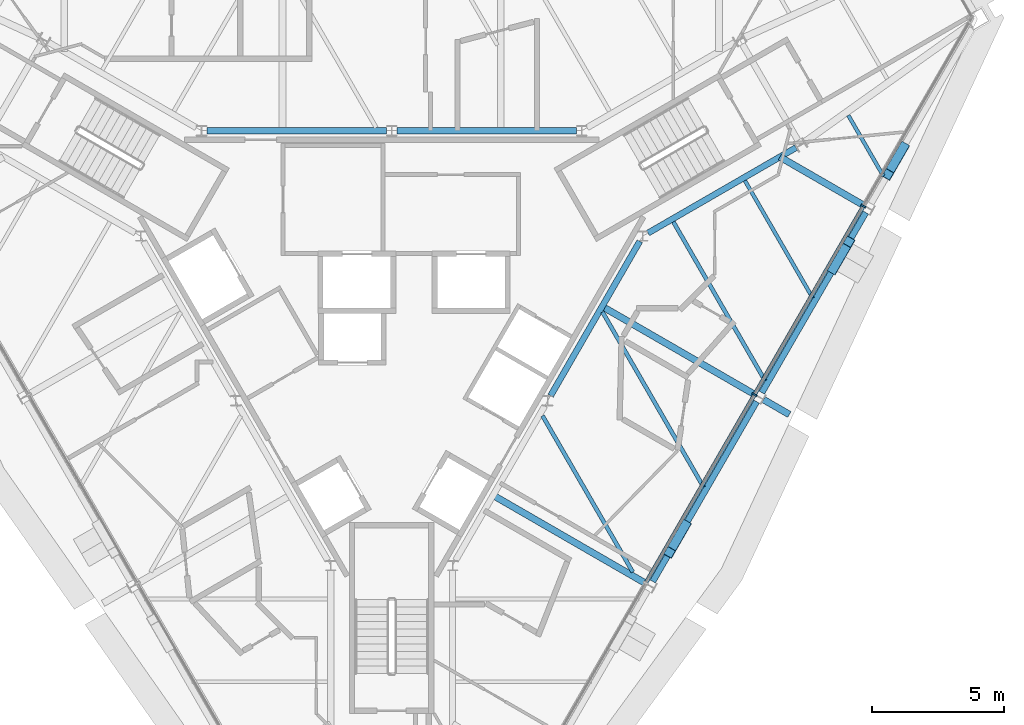
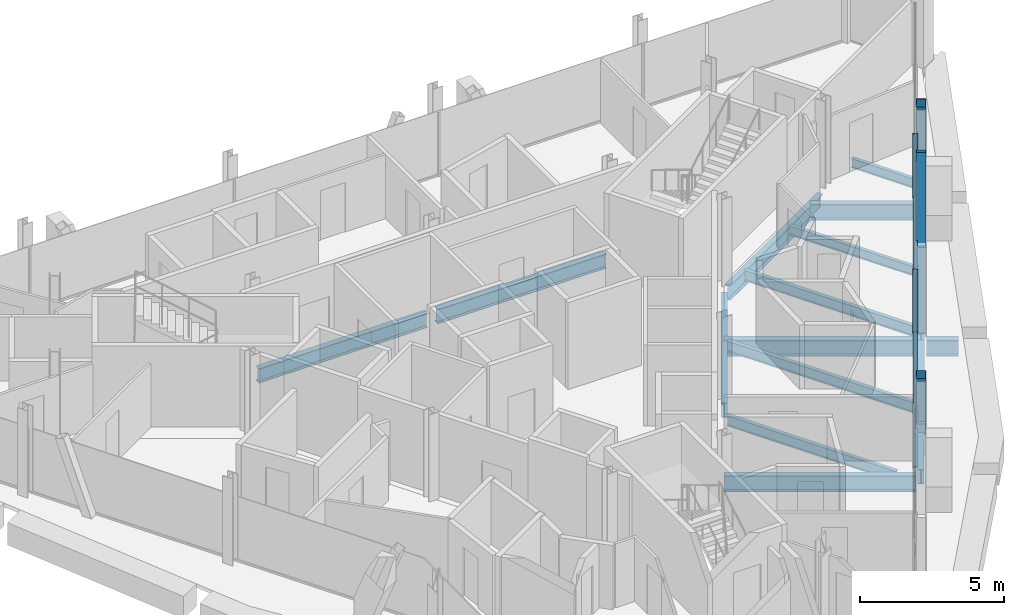
# One storey, part 4 of 13: 15 beams, 7 members, 1 element without a shape of its own.
"""IFC4 building model written with IfcOpenShell, lengths in metres."""

import ifcopenshell
import ifcopenshell.guid

model = None  # the IFC model being written
_history = None  # IfcOwnerHistory: only IFC2X3 demands one
_inside = {}  # id of a spatial element -> (the spatial element, [elements in it])
_under = {}  # id of a project, library or spatial element -> (it, [spatial elements below it])
_declared = {}  # id of a project -> (the project, [libraries it declares])
_typed = {}  # id of a type object -> (the type object, [elements of that type])
_made_of = {}  # id of a material, layer set ... -> (it, [elements and type objects made of it])


def new_model(schema):
    """Start an empty IFC model of exactly this schema.

    Asked for "IFC4X3", IfcOpenShell would pick the latest addendum, in which some entities
    have other attributes; the version numbers below select the first issue.
    IFC2X3 requires an IfcOwnerHistory on every rooted entity: one is made here for all.
    """
    global model, _history
    if schema == "IFC4X3":
        model = ifcopenshell.file(schema_version=(4, 3, 0, 0))
    else:
        model = ifcopenshell.file(schema=schema)
    _inside.clear()
    _under.clear()
    _declared.clear()
    _typed.clear()
    _made_of.clear()
    _history = None
    if model.schema == "IFC2X3":
        org = make("IfcOrganization", Name="unknown")
        user = make(
            "IfcPersonAndOrganization",
            ThePerson=make("IfcPerson", FamilyName="unknown"),
            TheOrganization=org,
        )
        app = make(
            "IfcApplication",
            ApplicationDeveloper=org,
            Version="unknown",
            ApplicationFullName="unknown",
            ApplicationIdentifier="unknown",
        )
        _history = make(
            "IfcOwnerHistory",
            OwningUser=user,
            OwningApplication=app,
            ChangeAction="ADDED",
            CreationDate=0,
        )
    return model


def make(cls, **values):
    """One entity of the class cls with the attributes given. An attribute that is None is left unset."""
    return model.create_entity(
        cls, **{name: value for name, value in values.items() if value is not None}
    )


def rooted(cls, **values):
    """An entity with a GlobalId (a new one), such as an element, a storey or a relation."""
    return make(cls, GlobalId=ifcopenshell.guid.new(), OwnerHistory=_history, **values)


def si_unit(unit_type, name, prefix=None):
    """IfcSIUnit, for example si_unit("LENGTHUNIT", "METRE", prefix="MILLI")."""
    return make("IfcSIUnit", UnitType=unit_type, Prefix=prefix, Name=name)


def assignment(units):
    """IfcUnitAssignment: the units of a project."""
    return None if units is None else make("IfcUnitAssignment", Units=units)


def point(xyz):
    """IfcCartesianPoint."""
    return None if xyz is None else make("IfcCartesianPoint", Coordinates=xyz)


def direction(xyz):
    """IfcDirection."""
    return None if xyz is None else make("IfcDirection", DirectionRatios=xyz)


def frame(location, z_axis=None, x_axis=None):
    """IfcAxis2Placement3D, a coordinate frame: its origin and axes. An axis left out is left unset."""
    return make(
        "IfcAxis2Placement3D",
        Location=point(location),
        Axis=direction(z_axis),
        RefDirection=direction(x_axis),
    )


def frame_2d(location, x_axis=None):
    """IfcAxis2Placement2D, a coordinate frame in the plane: its origin and x axis."""
    return make(
        "IfcAxis2Placement2D", Location=point(location), RefDirection=direction(x_axis)
    )


def origin():
    """The frame at (0, 0, 0) with its axes left unset."""
    return frame((0.0, 0.0, 0.0))


def origin_2d():
    """The frame at (0, 0) in the plane with its x axis left unset."""
    return frame_2d((0.0, 0.0))


def place(relative_to, where):
    """IfcLocalPlacement: puts the frame where relative to a parent placement (None: the world)."""
    return make(
        "IfcLocalPlacement", PlacementRelTo=relative_to, RelativePlacement=where
    )


def context(
    kind, dimensions, precision=None, world=None, true_north=None, identifier=None
):
    """IfcGeometricRepresentationContext, for example the 3D "Model" context."""
    return make(
        "IfcGeometricRepresentationContext",
        ContextIdentifier=identifier,
        ContextType=kind,
        CoordinateSpaceDimension=dimensions,
        Precision=precision,
        WorldCoordinateSystem=world,
        TrueNorth=true_north,
    )


def subcontext(parent, identifier, kind, view, scale=None):
    """IfcGeometricRepresentationSubContext, for example "Body" below "Model"."""
    return make(
        "IfcGeometricRepresentationSubContext",
        ContextIdentifier=identifier,
        ContextType=kind,
        ParentContext=parent,
        TargetScale=scale,
        TargetView=view,
    )


def project(units=None, contexts=None):
    """IfcProject with its units and contexts."""
    return rooted(
        "IfcProject",
        Name="project",
        RepresentationContexts=contexts,
        UnitsInContext=assignment(units),
    )


def spatial(cls, under=None, at=None, **own):
    """A site, building, storey or space (cls), placed at a placement, below another one or the project."""
    s = rooted(cls, ObjectPlacement=at, **own)
    if under is not None:
        _under.setdefault(under.id(), (under, []))[1].append(s)
    return s


def profile(cls, at=None, kind="AREA", **sizes):
    """A parametric profile (cls). Its sizes go by their IFC names, for example OverallWidth=200.0."""
    return make(cls, ProfileType=kind, Position=at, **sizes)


def rectangle(**sizes):
    """IfcRectangleProfileDef."""
    return profile("IfcRectangleProfileDef", **sizes)


def hollow_rectangle(**sizes):
    """IfcRectangleHollowProfileDef."""
    return profile("IfcRectangleHollowProfileDef", **sizes)


def i_section(**sizes):
    """IfcIShapeProfileDef."""
    return profile("IfcIShapeProfileDef", **sizes)


def extrude(swept, where, along, depth):
    """IfcExtrudedAreaSolid: the profile swept, set in the frame where, extruded along a direction by depth."""
    return make(
        "IfcExtrudedAreaSolid",
        SweptArea=swept,
        Position=where,
        ExtrudedDirection=direction(along),
        Depth=depth,
    )


def shape(context_of_items, identifier, shape_type, items):
    """IfcShapeRepresentation: the items that make up one representation, for example the "Body"."""
    return make(
        "IfcShapeRepresentation",
        ContextOfItems=context_of_items,
        RepresentationIdentifier=identifier,
        RepresentationType=shape_type,
        Items=items,
    )


def material(Name=None, Category=None):
    """IfcMaterial."""
    return make("IfcMaterial", Name=Name, Category=Category)


def material_profile(
    of_material, cross_section, Name=None, Category=None, Priority=None
):
    """IfcMaterialProfile: a cross section and its material."""
    return make(
        "IfcMaterialProfile",
        Name=Name,
        Material=of_material,
        Profile=cross_section,
        Priority=Priority,
        Category=Category,
    )


def profile_set(profiles, Name=None, composite=None):
    """IfcMaterialProfileSet."""
    return make(
        "IfcMaterialProfileSet",
        Name=Name,
        MaterialProfiles=profiles,
        CompositeProfile=composite,
    )


def made_of(thing, what):
    """Note that an element or type object is made of a material, layer set ...; save() writes the relation."""
    if what is not None:
        _made_of.setdefault(what.id(), (what, []))[1].append(thing)
    return thing


def type_object(cls, material=None, **own):
    """A type object (cls), such as IfcWallType, which elements share."""
    return made_of(rooted(cls, **own), material)


def element(
    cls,
    number,
    at=None,
    inside=None,
    cuts=None,
    type_object=None,
    material=None,
    context=None,
    identifier="Body",
    shape_type=None,
    held_by="IfcProductDefinitionShape",
    body=None,
    shapes=None,
    **own,
):
    """One element of the class cls, such as IfcWall. Its Tag is "e" and its number.

    at: its placement. inside: the storey or other place that contains it. cuts: it is an
    opening in that element (IfcRelVoidsElement). A single representation is given by context,
    identifier, shape_type and body (its items); several are given by shapes. held_by: the class
    of the entity that holds the representations. save() writes the other relations.
    """
    e = rooted(cls, Tag="e%d" % number, ObjectPlacement=at, **own)
    if body is not None:
        shapes = [shape(context, identifier, shape_type, body)]
    if shapes is not None:
        e.Representation = make(held_by, Representations=shapes)
    if inside is not None:
        _inside.setdefault(inside.id(), (inside, []))[1].append(e)
    if cuts is not None:
        rooted(
            "IfcRelVoidsElement", RelatingBuildingElement=cuts, RelatedOpeningElement=e
        )
    if type_object is not None:
        _typed.setdefault(type_object.id(), (type_object, []))[1].append(e)
    return made_of(e, material)


def aggregate(whole, parts):
    """IfcRelAggregates: a whole, such as a stair, and the parts it consists of."""
    return rooted("IfcRelAggregates", RelatingObject=whole, RelatedObjects=parts)


def save(model, path):
    """Write the relations noted so far, then the file.

    IfcRelAggregates (storeys below a building ...), IfcRelContainedInSpatialStructure (elements
    in a storey), IfcRelDefinesByType, IfcRelAssociatesMaterial and IfcRelDeclares: one each for
    every whole, place, type object, material and project.
    """
    for whole, parts in _under.values():
        aggregate(whole, parts)
    for where, things in _inside.values():
        rooted(
            "IfcRelContainedInSpatialStructure",
            RelatedElements=things,
            RelatingStructure=where,
        )
    for kind, things in _typed.values():
        rooted("IfcRelDefinesByType", RelatedObjects=things, RelatingType=kind)
    for what, things in _made_of.values():
        rooted("IfcRelAssociatesMaterial", RelatedObjects=things, RelatingMaterial=what)
    for by, libraries in _declared.values():
        rooted("IfcRelDeclares", RelatingContext=by, RelatedDefinitions=libraries)
    model.write(path)


model = new_model("IFC4")

# Units and contexts
model_context = context("Model", 3, precision=1e-05, world=origin(), true_north=direction((0.0, 1.0)))
body_context = subcontext(model_context, "Body", "Model", "MODEL_VIEW")
ifc_project = project(units=[si_unit("LENGTHUNIT", "METRE"), si_unit("AREAUNIT", "SQUARE_METRE"), si_unit("VOLUMEUNIT", "CUBIC_METRE"), si_unit("PLANEANGLEUNIT", "RADIAN"), si_unit("MASSUNIT", "GRAM", prefix="KILO")], contexts=[model_context])

# Site, building, storey
site_placement = place(None, origin())
site = spatial("IfcSite", under=ifc_project, at=site_placement, CompositionType="ELEMENT")
building_placement = place(site_placement, origin())
building = spatial("IfcBuilding", under=site, at=building_placement, Name="Verrane Prism Tower", CompositionType="ELEMENT")
storey_placement = place(building_placement, frame((0.0, 0.0, 278.800048828125)))
storey = spatial("IfcBuildingStorey", under=building, at=storey_placement, Name="L70", CompositionType="ELEMENT", Elevation=278.800048828125)

# Beams
ifc_material_1 = material(Name="Steel A992", Category="steel")
ifc_material_profile_1 = material_profile(ifc_material_1, i_section(OverallWidth=0.23046875, OverallDepth=0.6171875, WebThickness=0.01318359375, FlangeThickness=0.022216796875, FilletRadius=0.012939453125, at=origin_2d()), Name="W24x94")
ifc_profile_set_1 = profile_set([ifc_material_profile_1], Name="Steel A992")
beam_type_1 = type_object("IfcBeamType", Name="Core ring girder W24x94", PredefinedType="BEAM", material=ifc_profile_set_1)
beam_1_placement = place(storey_placement, frame((9.679443359375, 2.93505859375, -0.55859375), z_axis=(0.866080992722, 0.499903704773, 0.0), x_axis=(-0.499903704773, 0.866080992722, 0.0)))
element("IfcBeam", 1, at=beam_1_placement, inside=storey, type_object=beam_type_1, Name="Core ring girder L70", PredefinedType="BEAM", context=body_context, shape_type="SweptSolid", body=[
    extrude(i_section(OverallWidth=0.23046875, OverallDepth=0.6171875, WebThickness=0.01318359375, FlangeThickness=0.022216796875, FilletRadius=0.012939453125, at=origin_2d()), origin(), (0.0, 0.0, 1.0), 6.451904296875),
])
for number, where, z_axis, x_axis, name in (
    (2, (6.980712890625, 6.800048828125, -0.55859375), (-1.0, 0.0, 0.0), (0.0, -1.0, 0.0), "Core ring girder L70"),
    (3, (-0.199462890625, 6.800048828125, -0.55859375), (-1.0, 0.0, 0.0), (0.0, -1.0, 0.0), "Core ring girder L70"),
):
    element("IfcBeam", number, at=place(storey_placement, frame(where, z_axis=z_axis, x_axis=x_axis)), inside=storey, type_object=beam_type_1, Name=name, PredefinedType="BEAM", context=body_context, shape_type="SweptSolid", body=[
        extrude(i_section(OverallWidth=0.23046875, OverallDepth=0.6171875, WebThickness=0.01318359375, FlangeThickness=0.022216796875, FilletRadius=0.012939453125, at=origin_2d()), origin(), (0.0, 0.0, 1.0), 6.78125),
    ])
beam_2_placement = place(storey_placement, frame((6.00146484375, -3.20703125, -0.55859375), z_axis=(0.499881421193, 0.866093854468, 0.0), x_axis=(-0.866093854468, 0.499881421193, 0.0)))
element("IfcBeam", 4, at=beam_2_placement, inside=storey, type_object=beam_type_1, Name="Core ring girder L70", PredefinedType="BEAM", context=body_context, shape_type="SweptSolid", body=[
    extrude(i_section(OverallWidth=0.23046875, OverallDepth=0.6171875, WebThickness=0.01318359375, FlangeThickness=0.022216796875, FilletRadius=0.012939453125, at=origin_2d()), origin(), (0.0, 0.0, 1.0), 6.736083984375),
])

# Members
ifc_material_2 = material(Name="Steel A500 Grade C", Category="steel")
ifc_material_profile_2 = material_profile(ifc_material_2, hollow_rectangle(XDim=0.355712890625, YDim=0.355712890625, WallThickness=0.0126953125, InnerFilletRadius=0.00634765625, OuterFilletRadius=0.01904296875, at=origin_2d()), Name="HSS14x14x1/2")
ifc_profile_set_2 = profile_set([ifc_material_profile_2], Name="Steel A500 Grade C")
member_type_1 = type_object("IfcMemberType", Name="Facade brace HSS14x14x1/2", PredefinedType="BRACE", material=ifc_profile_set_2)
member_1_placement = place(storey_placement, frame((11.086669921875, -8.09423828125, -0.216796875), z_axis=(-0.174021541625, -0.301136042195, 0.937567910682), x_axis=(0.865825429664, -0.500346205489, 0.0)))
element("IfcMember", 5, at=member_1_placement, inside=storey, type_object=member_type_1, Name="Facade brace SE2 L70", PredefinedType="BRACE", context=body_context, shape_type="SweptSolid", body=[
    extrude(hollow_rectangle(XDim=0.355712890625, YDim=0.355712890625, WallThickness=0.0126953125, InnerFilletRadius=0.00634765625, OuterFilletRadius=0.01904296875, at=origin_2d()), origin(), (0.0, 0.0, 1.0), 3.4091796875),
])
member_2_placement = place(storey_placement, frame((16.67333984375, 1.5810546875, -0.216796875), z_axis=(0.174002769202, 0.301461587794, 0.937466771355), x_axis=(-0.86608282171, 0.499900536046, 0.0)))
element("IfcMember", 6, at=member_2_placement, inside=storey, type_object=member_type_1, Name="Facade brace SE3 L70", PredefinedType="BRACE", context=body_context, shape_type="SweptSolid", body=[
    extrude(hollow_rectangle(XDim=0.355712890625, YDim=0.355712890625, WallThickness=0.0126953125, InnerFilletRadius=0.00634765625, OuterFilletRadius=0.01904296875, at=origin_2d()), origin(), (0.0, 0.0, 1.0), 3.409423828125),
])
member_3_placement = place(storey_placement, frame((19.32666015625, 6.178955078125, -0.216796875), z_axis=(-0.17399901277, -0.301526684269, 0.937446532997), x_axis=(0.86613421761, -0.499811481546, 0.0)))
element("IfcMember", 7, at=member_3_placement, inside=storey, type_object=member_type_1, Name="Facade brace SE4 L70", PredefinedType="BRACE", context=body_context, shape_type="SweptSolid", body=[
    extrude(hollow_rectangle(XDim=0.355712890625, YDim=0.355712890625, WallThickness=0.0126953125, InnerFilletRadius=0.00634765625, OuterFilletRadius=0.01904296875, at=origin_2d()), origin(), (0.0, 0.0, 1.0), 3.40966796875),
])

# Beams
ifc_material_3 = material(Name="Steel A992", Category="steel")
ifc_material_profile_3 = material_profile(ifc_material_3, i_section(OverallWidth=0.140380859375, OverallDepth=0.40380859375, WebThickness=0.007080078125, FlangeThickness=0.01123046875, FilletRadius=0.01025390625, at=origin_2d()), Name="W16x31")
ifc_profile_set_3 = profile_set([ifc_material_profile_3], Name="Steel A992")
beam_type_2 = type_object("IfcBeamType", Name="Floor beam W16x31", PredefinedType="BEAM", material=ifc_profile_set_3)
beam_3_placement = place(storey_placement, frame((15.902099609375, 0.474609375, -0.362060546875), z_axis=(-0.500011000363, 0.866019052629, 0.0), x_axis=(-0.866019052629, -0.500011000363, 0.0)))
element("IfcBeam", 8, at=beam_3_placement, inside=storey, type_object=beam_type_2, Name="Floor beam L70", PredefinedType="BEAM", context=body_context, shape_type="SweptSolid", body=[
    extrude(i_section(OverallWidth=0.140380859375, OverallDepth=0.40380859375, WebThickness=0.007080078125, FlangeThickness=0.01123046875, FilletRadius=0.01025390625, at=origin_2d()), origin(), (0.0, 0.0, 1.0), 5.126953125),
])
beam_4_placement = place(storey_placement, frame((18.565185546875, 5.089599609375, -0.362060546875), z_axis=(-0.49994082229, 0.866059567356, 0.0), x_axis=(-0.866059567356, -0.49994082229, 0.0)))
element("IfcBeam", 9, at=beam_4_placement, inside=storey, type_object=beam_type_2, Name="Floor beam L70", PredefinedType="BEAM", context=body_context, shape_type="SweptSolid", body=[
    extrude(i_section(OverallWidth=0.140380859375, OverallDepth=0.40380859375, WebThickness=0.007080078125, FlangeThickness=0.01123046875, FilletRadius=0.01025390625, at=origin_2d()), origin(), (0.0, 0.0, 1.0), 2.645263671875),
])
ifc_material_4 = material(Name="Steel A992", Category="steel")
ifc_material_profile_4 = material_profile(ifc_material_4, i_section(OverallWidth=0.15234375, OverallDepth=0.449462890625, WebThickness=0.007568359375, FlangeThickness=0.0107421875, FilletRadius=0.01025390625, at=origin_2d()), Name="W18x35")
ifc_profile_set_4 = profile_set([ifc_material_profile_4], Name="Steel A992")
beam_type_3 = type_object("IfcBeamType", Name="Floor beam W18x35", PredefinedType="BEAM", material=ifc_profile_set_4)
beam_5_placement = place(storey_placement, frame((11.78076171875, -6.6630859375, -0.384765625), z_axis=(-0.499997113229, 0.866027070456, 0.0), x_axis=(-0.866027070456, -0.499997113229, 0.0)))
element("IfcBeam", 10, at=beam_5_placement, inside=storey, type_object=beam_type_3, Name="Floor beam L70", PredefinedType="BEAM", context=body_context, shape_type="SweptSolid", body=[
    extrude(i_section(OverallWidth=0.15234375, OverallDepth=0.449462890625, WebThickness=0.007568359375, FlangeThickness=0.0107421875, FilletRadius=0.01025390625, at=origin_2d()), origin(), (0.0, 0.0, 1.0), 7.64306640625),
])
beam_6_placement = place(storey_placement, frame((9.103271484375, -9.864501953125, -0.384765625), z_axis=(-0.49999337185, 0.866029230515, 0.0), x_axis=(-0.866029230515, -0.49999337185, 0.0)))
element("IfcBeam", 11, at=beam_6_placement, inside=storey, type_object=beam_type_3, Name="Floor beam L70", PredefinedType="BEAM", context=body_context, shape_type="SweptSolid", body=[
    extrude(i_section(OverallWidth=0.15234375, OverallDepth=0.449462890625, WebThickness=0.007568359375, FlangeThickness=0.0107421875, FilletRadius=0.01025390625, at=origin_2d()), origin(), (0.0, 0.0, 1.0), 6.8125),
])
beam_7_placement = place(storey_placement, frame((14.1015625, -2.64599609375, -0.384765625), z_axis=(-0.49999287541, 0.866029517129, 0.0), x_axis=(-0.866029517129, -0.49999287541, 0.0)))
element("IfcBeam", 12, at=beam_7_placement, inside=storey, type_object=beam_type_3, Name="Floor beam L70", PredefinedType="BEAM", context=body_context, shape_type="SweptSolid", body=[
    extrude(i_section(OverallWidth=0.15234375, OverallDepth=0.449462890625, WebThickness=0.007568359375, FlangeThickness=0.0107421875, FilletRadius=0.01025390625, at=origin_2d()), origin(), (0.0, 0.0, 1.0), 6.92919921875),
])

# Curtain wall, members
ifc_material_5 = material(Name="Aluminium framed insulated glazing", Category="aluminium")
curtain_wall_type = type_object("IfcCurtainWallType", Name="Curtain wall CW-A 8400 module", PredefinedType="NOTDEFINED", material=ifc_material_5)
curtain_wall_placement = place(storey_placement, origin())
curtain_wall = element("IfcCurtainWall", 13, at=curtain_wall_placement, inside=storey, type_object=curtain_wall_type, Name="Glazed curtain wall south-east face L70", PredefinedType="NOTDEFINED")
ifc_material_6 = material(Name="Aluminium alloy 6063-T6", Category="aluminium")
ifc_material_profile_5 = material_profile(ifc_material_6, rectangle(XDim=0.199951171875, YDim=0.070068359375, at=origin_2d()), Name="Mullion 70x200 aluminium")
ifc_profile_set_5 = profile_set([ifc_material_profile_5], Name="Aluminium alloy 6063-T6")
member_type_2 = type_object("IfcMemberType", Name="Mullion 70x200 aluminium", PredefinedType="MULLION", material=ifc_profile_set_5)
member_4_placement = place(storey_placement, frame((13.7001953125, -3.1650390625, 0.0), z_axis=(0.0, 0.0, 1.0), x_axis=(-0.866024861728, 0.500000938868, 0.0)))
member_4 = element("IfcMember", 14, at=member_4_placement, type_object=member_type_2, Name="CW69.6 mullion 4", PredefinedType="MULLION", context=body_context, shape_type="SweptSolid", body=[
    extrude(rectangle(XDim=0.199951171875, YDim=0.070068359375, at=origin_2d()), origin(), (0.0, 0.0, 1.0), 2.72314453125),
])
member_5_placement = place(storey_placement, frame((17.8095703125, 3.952392578125, 0.0), z_axis=(0.0, 0.0, 1.0), x_axis=(-0.866024861728, 0.500000938868, 0.0)))
member_5 = element("IfcMember", 15, at=member_5_placement, type_object=member_type_2, Name="CW69.6 mullion 5", PredefinedType="MULLION", context=body_context, shape_type="SweptSolid", body=[
    extrude(rectangle(XDim=0.199951171875, YDim=0.070068359375, at=origin_2d()), origin(), (0.0, 0.0, 1.0), 2.72314453125),
])

# Beams
ifc_material_7 = material(Name="Steel A992", Category="steel")
ifc_material_profile_6 = material_profile(ifc_material_7, i_section(OverallWidth=0.25390625, OverallDepth=0.683349609375, WebThickness=0.012451171875, FlangeThickness=0.01904296875, FilletRadius=0.01513671875, at=origin_2d()), Name="W27x94")
ifc_profile_set_6 = profile_set([ifc_material_profile_6], Name="Steel A992")
beam_type_4 = type_object("IfcBeamType", Name="Radial girder W27x94", PredefinedType="BEAM", material=ifc_profile_set_6)
beam_8_placement = place(storey_placement, frame((9.59716796875, -10.2958984375, -0.561767578125), z_axis=(-0.866029870483, 0.499992263371, 0.0), x_axis=(-0.499992263371, -0.866029870483, 0.0)))
element("IfcBeam", 16, at=beam_8_placement, inside=storey, type_object=beam_type_4, Name="Radial girder L70", PredefinedType="BEAM", context=body_context, shape_type="SweptSolid", body=[
    extrude(i_section(OverallWidth=0.25390625, OverallDepth=0.683349609375, WebThickness=0.012451171875, FlangeThickness=0.01904296875, FilletRadius=0.01513671875, at=origin_2d()), origin(), (0.0, 0.0, 1.0), 6.65771484375),
])
beam_9_placement = place(storey_placement, frame((13.71728515625, -3.166015625, -0.561767578125), z_axis=(-0.866033637652, 0.499985738252, 0.0), x_axis=(-0.499985738252, -0.866033637652, 0.0)))
element("IfcBeam", 17, at=beam_9_placement, inside=storey, type_object=beam_type_4, Name="Radial girder L70", PredefinedType="BEAM", context=body_context, shape_type="SweptSolid", body=[
    extrude(i_section(OverallWidth=0.25390625, OverallDepth=0.683349609375, WebThickness=0.012451171875, FlangeThickness=0.01904296875, FilletRadius=0.01513671875, at=origin_2d()), origin(), (0.0, 0.0, 1.0), 6.662353515625),
])
beam_10_placement = place(storey_placement, frame((17.837158203125, 3.97412109375, -0.561767578125), z_axis=(-0.866040472627, 0.499973899091, 0.0), x_axis=(-0.499973899091, -0.866040472627, 0.0)))
element("IfcBeam", 18, at=beam_10_placement, inside=storey, type_object=beam_type_4, Name="Radial girder L70", PredefinedType="BEAM", context=body_context, shape_type="SweptSolid", body=[
    extrude(i_section(OverallWidth=0.25390625, OverallDepth=0.683349609375, WebThickness=0.012451171875, FlangeThickness=0.01904296875, FilletRadius=0.01513671875, at=origin_2d()), origin(), (0.0, 0.0, 1.0), 3.670166015625),
])
beam_11_placement = place(storey_placement, frame((14.039306640625, -3.35205078125, -0.561767578125), z_axis=(0.86603400694, -0.499985098601, 0.0), x_axis=(0.499985098601, 0.86603400694, 0.0)))
element("IfcBeam", 19, at=beam_11_placement, inside=storey, type_object=beam_type_4, Name="Cantilever girder L70", PredefinedType="BEAM", context=body_context, shape_type="SweptSolid", body=[
    extrude(i_section(OverallWidth=0.25390625, OverallDepth=0.683349609375, WebThickness=0.012451171875, FlangeThickness=0.01904296875, FilletRadius=0.01513671875, at=origin_2d()), origin(), (0.0, 0.0, 1.0), 1.12646484375),
])
ifc_material_8 = material(Name="Steel A992", Category="steel")
ifc_material_profile_7 = material_profile(ifc_material_8, i_section(OverallWidth=0.23046875, OverallDepth=0.6171875, WebThickness=0.01318359375, FlangeThickness=0.022216796875, FilletRadius=0.012939453125, at=origin_2d()), Name="W24x94")
ifc_profile_set_7 = profile_set([ifc_material_profile_7], Name="Steel A992")
beam_type_5 = type_object("IfcBeamType", Name="Spandrel beam W24x94", PredefinedType="SPANDREL", material=ifc_profile_set_7)
beam_12_placement = place(storey_placement, frame((9.8583984375, -10.219482421875, -0.46875), z_axis=(0.500327915282, 0.865835999015, 0.0), x_axis=(-0.865835999015, 0.500327915282, 0.0)))
element("IfcBeam", 20, at=beam_12_placement, inside=storey, type_object=beam_type_5, Name="Spandrel beam L70", PredefinedType="SPANDREL", context=body_context, shape_type="SweptSolid", body=[
    extrude(i_section(OverallWidth=0.23046875, OverallDepth=0.6171875, WebThickness=0.01318359375, FlangeThickness=0.022216796875, FilletRadius=0.012939453125, at=origin_2d()), origin(), (0.0, 0.0, 1.0), 7.841064453125),
])
beam_13_placement = place(storey_placement, frame((13.978515625, -3.089599609375, -0.46875), z_axis=(0.499775405071, 0.866155034902, 0.0), x_axis=(-0.866155034902, 0.499775405071, 0.0)))
element("IfcBeam", 21, at=beam_13_placement, inside=storey, type_object=beam_type_5, Name="Spandrel beam L70", PredefinedType="SPANDREL", context=body_context, shape_type="SweptSolid", body=[
    extrude(i_section(OverallWidth=0.23046875, OverallDepth=0.6171875, WebThickness=0.01318359375, FlangeThickness=0.022216796875, FilletRadius=0.012939453125, at=origin_2d()), origin(), (0.0, 0.0, 1.0), 7.849609375),
])

# Member
ifc_material_9 = material(Name="Aluminium alloy 6063-T6", Category="aluminium")
ifc_material_profile_8 = material_profile(ifc_material_9, rectangle(XDim=0.14990234375, YDim=0.070068359375, at=origin_2d()), Name="Transom 70x150 aluminium")
ifc_profile_set_8 = profile_set([ifc_material_profile_8], Name="Aluminium alloy 6063-T6")
member_type_3 = type_object("IfcMemberType", Name="Transom 70x150 aluminium", PredefinedType="USERDEFINED", material=ifc_profile_set_8)
member_6_placement = place(storey_placement, frame((9.608642578125, -10.251953125, 0.034912109375), z_axis=(0.500006018292, 0.866021929094, 0.0), x_axis=(-0.866021929094, 0.500006018292, 0.0)))
member_6 = element("IfcMember", 22, at=member_6_placement, type_object=member_type_3, Name="CW69.6 transom 3", ObjectType="TRANSOM", PredefinedType="USERDEFINED", context=body_context, shape_type="SweptSolid", body=[
    extrude(rectangle(XDim=0.14990234375, YDim=0.070068359375, at=origin_2d()), origin(), (0.0, 0.0, 1.0), 8.1484375),
])

member_7_placement = place(storey_placement, frame((13.7177734375, -3.134521484375, 0.034912109375), z_axis=(0.500006018292, 0.866021929094, 0.0), x_axis=(-0.866021929094, 0.500006018292, 0.0)))
member_7 = element("IfcMember", 23, at=member_7_placement, type_object=member_type_3, Name="CW69.6 transom 4", ObjectType="TRANSOM", PredefinedType="USERDEFINED", context=body_context, shape_type="SweptSolid", body=[
    extrude(rectangle(XDim=0.14990234375, YDim=0.070068359375, at=origin_2d()), origin(), (0.0, 0.0, 1.0), 8.1484375),
])

aggregate(curtain_wall, [member_4, member_5, member_6, member_7])

save(model, "model.ifc")
